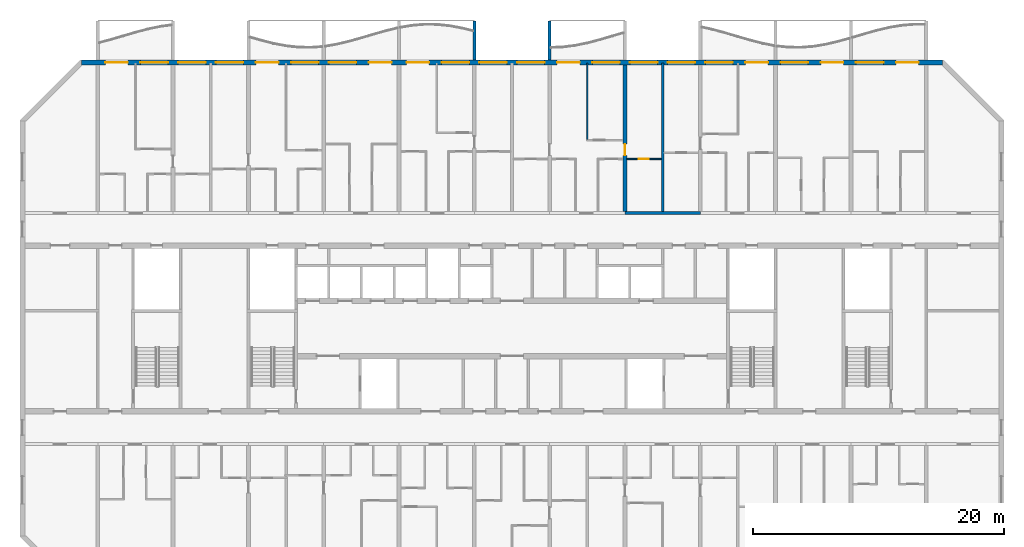
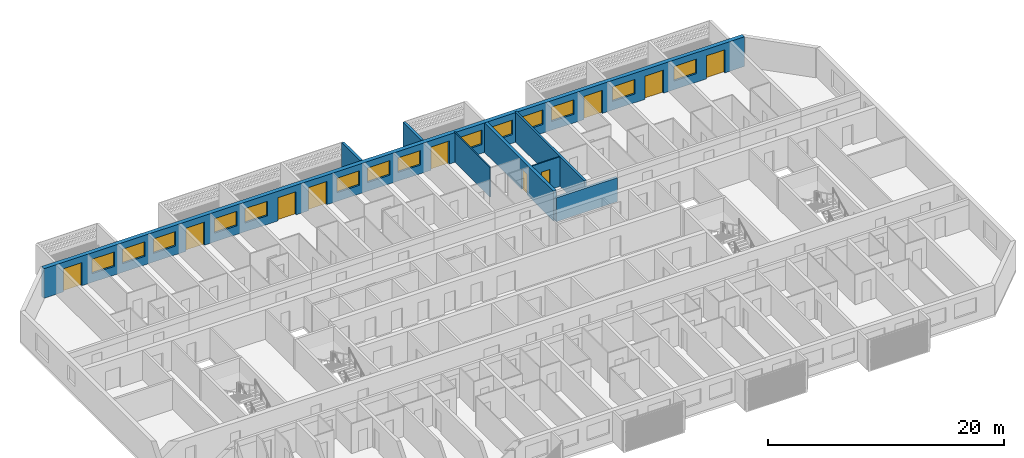
# One storey, part 11 of 33: 14 windows, 10 doors, 8 walls, 24 openings.
"""IFC4 building model written with IfcOpenShell, lengths in metres."""

from ifc_helpers import new_model, si_unit, direction, frame, frame_2d, origin, place, context, subcontext, project, spatial, polyline, rectangle, outline, extrude, source, transform, mapped, material, layer, layer_set, type_object, element, fill, save


model = new_model("IFC4")

# Units and contexts
model_context = context("Model", 3, precision=1e-05, world=origin(), true_north=direction((0.0, 1.0)))
body_context = subcontext(model_context, "Body", "Model", "MODEL_VIEW")
ifc_project = project(units=[si_unit("LENGTHUNIT", "METRE"), si_unit("AREAUNIT", "SQUARE_METRE"), si_unit("VOLUMEUNIT", "CUBIC_METRE"), si_unit("PLANEANGLEUNIT", "RADIAN"), si_unit("MASSUNIT", "GRAM", prefix="KILO")], contexts=[model_context])

# Site, building, storey
site_placement = place(None, origin())
site = spatial("IfcSite", under=ifc_project, at=site_placement, CompositionType="ELEMENT")
building_placement = place(site_placement, origin())
building = spatial("IfcBuilding", under=site, at=building_placement, Name="Poui Terraces", CompositionType="ELEMENT")
storey_placement = place(building_placement, frame((0.0, 0.0, 138.89990234375)))
storey = spatial("IfcBuildingStorey", under=building, at=storey_placement, Name="L38", CompositionType="ELEMENT", Elevation=138.89990234375)

# Wall
ifc_material_1 = material(Name="Concrete 65 MPa", Category="concrete")
ifc_layer_1 = layer(ifc_material_1, 0.25)
ifc_layer_set_1 = layer_set([ifc_layer_1], Name="Concrete 65 MPa")
wall_type_1 = type_object("IfcWallType", Name="CORRIDOR WALL 250 65MPa", PredefinedType="SHEAR", material=ifc_layer_set_1)
wall_1_placement = place(storey_placement, frame((60.0, 30.39990234375, 0.0), z_axis=(0.0, 0.0, 1.0), x_axis=(1.0, 0.0, 0.0)))
element("IfcWall", 1, at=wall_1_placement, inside=storey, type_object=wall_type_1, Name="CORRIDOR WALL LINE E BAY 9", PredefinedType="SHEAR", context=body_context, shape_type="SweptSolid", body=[
    extrude(rectangle(XDim=6.0, YDim=0.25, at=frame_2d((3.0, 0.0))), origin(), (0.0, 0.0, 1.0), 2.47021484375),
])

# Wall, opening, door
ifc_layer_2 = layer(ifc_material_1, 0.300048828125)
ifc_layer_set_2 = layer_set([ifc_layer_2], Name="Concrete 65 MPa")
wall_type_2 = type_object("IfcWallType", Name="CROSS WALL 300 65MPa", PredefinedType="SHEAR", material=ifc_layer_set_2)
wall_2_placement = place(storey_placement, frame((60.0, 30.52490234375, 0.0), z_axis=(0.0, 0.0, 1.0), x_axis=(0.0, 1.0, 0.0)))
wall_2 = element("IfcWall", 2, at=wall_2_placement, inside=storey, type_object=wall_type_2, Name="CROSS WALL LINE 11 NORTH", PredefinedType="SHEAR", context=body_context, shape_type="SweptSolid", body=[
    extrude(rectangle(XDim=11.675048828125, YDim=0.300048828125, at=frame_2d((5.83740234375, 0.0))), origin(), (0.0, 0.0, 1.0), 3.070068359375),
])
opening_1_placement = place(wall_2_placement, frame((4.47509765625, 0.0, 0.0)))
opening_1 = element("IfcOpeningElement", 3, at=opening_1_placement, cuts=wall_2, Name="Opening D90", PredefinedType="OPENING", context=body_context, shape_type="SweptSolid", body=[
    extrude(rectangle(XDim=0.89990234375, YDim=2.10009765625, at=frame_2d((0.449951171875, 1.050048828125))), frame((0.0, 0.16015625, 0.0), z_axis=(0.0, -1.0, 0.0), x_axis=(1.0, 0.0, 0.0)), (0.0, 0.0, 1.0), 0.320068359375),
])
ifc_material_2 = material(Name="Solid core timber door", Category="wood")
door_type_1 = type_object("IfcDoorType", Name="INTERNAL DOOR 900 X 2100", OperationType="NOTDEFINED", PredefinedType="DOOR", material=ifc_material_2)
door_1_placement = place(opening_1_placement, frame((0.89990234375, 0.0, 0.0), z_axis=(0.0, 0.0, 1.0), x_axis=(-1.0, 0.0, 0.0)))
door_1 = element("IfcDoor", 4, at=door_1_placement, inside=storey, type_object=door_type_1, Name="INTERNAL DOOR 060", OperationType="SINGLE_SWING_RIGHT", OverallHeight=2.10009765625, OverallWidth=0.89990234375, PredefinedType="DOOR", context=body_context, shape_type="SweptSolid", body=[
    extrude(rectangle(XDim=0.89990234375, YDim=2.10009765625, at=frame_2d((0.449951171875, 1.050048828125))), frame((0.0, 0.02490234375, 0.0), z_axis=(0.0, -1.0, 0.0), x_axis=(1.0, 0.0, 0.0)), (0.0, 0.0, 1.0), 0.050048828125),
])
fill(opening_1, door_1)

# Wall, openings, doors, windows
ifc_material_3 = material(Name="Precast concrete 40 MPa", Category="concrete")
ifc_layer_3 = layer(ifc_material_3, 0.39990234375)
ifc_layer_set_3 = layer_set([ifc_layer_3], Name="Precast concrete 40 MPa")
wall_type_3 = type_object("IfcWallType", Name="EXTERNAL WALL 400", PredefinedType="STANDARD", material=ifc_layer_set_3)
wall_3_placement = place(storey_placement, frame((85.317138671875, 42.39990234375, 0.0), z_axis=(0.0, 0.0, 1.0), x_axis=(-1.0, 0.0, 0.0)))
wall_3 = element("IfcWall", 5, at=wall_3_placement, inside=storey, type_object=wall_type_3, Name="EXTERNAL WALL N", PredefinedType="STANDARD", context=body_context, shape_type="SweptSolid", body=[
    extrude(rectangle(XDim=68.63427734375, YDim=0.39990234375, at=frame_2d((34.317138671875, 0.0))), origin(), (0.0, 0.0, 1.0), 3.070068359375),
])
opening_2_placement = place(wall_3_placement, frame((64.917236328125, 0.0, 0.0)))
opening_2 = element("IfcOpeningElement", 6, at=opening_2_placement, cuts=wall_3, Name="Opening BD1", PredefinedType="OPENING", context=body_context, shape_type="SweptSolid", body=[
    extrude(rectangle(XDim=1.800048828125, YDim=2.39990234375, at=frame_2d((0.89990234375, 1.199951171875))), frame((0.0, 0.2099609375, 0.0), z_axis=(0.0, -1.0, 0.0), x_axis=(1.0, 0.0, 0.0)), (0.0, 0.0, 1.0), 0.419921875),
])
opening_3_placement = place(wall_3_placement, frame((61.71728515625, 0.0, 0.89990234375)))
opening_3 = element("IfcOpeningElement", 7, at=opening_3_placement, cuts=wall_3, Name="Opening W1", PredefinedType="OPENING", context=body_context, shape_type="SweptSolid", body=[
    extrude(rectangle(XDim=2.199951171875, YDim=1.5, at=frame_2d((1.10009765625, 0.75))), frame((0.0, 0.2099609375, 0.0), z_axis=(0.0, -1.0, 0.0), x_axis=(1.0, 0.0, 0.0)), (0.0, 0.0, 1.0), 0.419921875),
])
opening_4_placement = place(wall_3_placement, frame((58.71728515625, 0.0, 0.89990234375)))
opening_4 = element("IfcOpeningElement", 8, at=opening_4_placement, cuts=wall_3, Name="Opening W1", PredefinedType="OPENING", context=body_context, shape_type="SweptSolid", body=[
    extrude(rectangle(XDim=2.199951171875, YDim=1.5, at=frame_2d((1.10009765625, 0.75))), frame((0.0, 0.2099609375, 0.0), z_axis=(0.0, -1.0, 0.0), x_axis=(1.0, 0.0, 0.0)), (0.0, 0.0, 1.0), 0.419921875),
])
opening_5_placement = place(wall_3_placement, frame((55.71728515625, 0.0, 0.89990234375)))
opening_5 = element("IfcOpeningElement", 9, at=opening_5_placement, cuts=wall_3, Name="Opening W1", PredefinedType="OPENING", context=body_context, shape_type="SweptSolid", body=[
    extrude(rectangle(XDim=2.199951171875, YDim=1.5, at=frame_2d((1.10009765625, 0.75))), frame((0.0, 0.2099609375, 0.0), z_axis=(0.0, -1.0, 0.0), x_axis=(1.0, 0.0, 0.0)), (0.0, 0.0, 1.0), 0.419921875),
])
opening_6_placement = place(wall_3_placement, frame((52.917236328125, 0.0, 0.0)))
opening_6 = element("IfcOpeningElement", 10, at=opening_6_placement, cuts=wall_3, Name="Opening BD1", PredefinedType="OPENING", context=body_context, shape_type="SweptSolid", body=[
    extrude(rectangle(XDim=1.800048828125, YDim=2.39990234375, at=frame_2d((0.89990234375, 1.199951171875))), frame((0.0, 0.2099609375, 0.0), z_axis=(0.0, -1.0, 0.0), x_axis=(1.0, 0.0, 0.0)), (0.0, 0.0, 1.0), 0.419921875),
])
opening_7_placement = place(wall_3_placement, frame((49.71728515625, 0.0, 0.89990234375)))
opening_7 = element("IfcOpeningElement", 11, at=opening_7_placement, cuts=wall_3, Name="Opening W1", PredefinedType="OPENING", context=body_context, shape_type="SweptSolid", body=[
    extrude(rectangle(XDim=2.199951171875, YDim=1.5, at=frame_2d((1.10009765625, 0.75))), frame((0.0, 0.2099609375, 0.0), z_axis=(0.0, -1.0, 0.0), x_axis=(1.0, 0.0, 0.0)), (0.0, 0.0, 1.0), 0.419921875),
])
opening_8_placement = place(wall_3_placement, frame((46.71728515625, 0.0, 0.89990234375)))
opening_8 = element("IfcOpeningElement", 12, at=opening_8_placement, cuts=wall_3, Name="Opening W1", PredefinedType="OPENING", context=body_context, shape_type="SweptSolid", body=[
    extrude(rectangle(XDim=2.199951171875, YDim=1.5, at=frame_2d((1.10009765625, 0.75))), frame((0.0, 0.2099609375, 0.0), z_axis=(0.0, -1.0, 0.0), x_axis=(1.0, 0.0, 0.0)), (0.0, 0.0, 1.0), 0.419921875),
])
opening_9_placement = place(wall_3_placement, frame((43.917236328125, 0.0, 0.0)))
opening_9 = element("IfcOpeningElement", 13, at=opening_9_placement, cuts=wall_3, Name="Opening BD1", PredefinedType="OPENING", context=body_context, shape_type="SweptSolid", body=[
    extrude(rectangle(XDim=1.800048828125, YDim=2.39990234375, at=frame_2d((0.89990234375, 1.199951171875))), frame((0.0, 0.2099609375, 0.0), z_axis=(0.0, -1.0, 0.0), x_axis=(1.0, 0.0, 0.0)), (0.0, 0.0, 1.0), 0.419921875),
])
opening_10_placement = place(wall_3_placement, frame((40.917236328125, 0.0, 0.0)))
opening_10 = element("IfcOpeningElement", 14, at=opening_10_placement, cuts=wall_3, Name="Opening BD1", PredefinedType="OPENING", context=body_context, shape_type="SweptSolid", body=[
    extrude(rectangle(XDim=1.800048828125, YDim=2.39990234375, at=frame_2d((0.89990234375, 1.199951171875))), frame((0.0, 0.2099609375, 0.0), z_axis=(0.0, -1.0, 0.0), x_axis=(1.0, 0.0, 0.0)), (0.0, 0.0, 1.0), 0.419921875),
])
opening_11_placement = place(wall_3_placement, frame((37.71728515625, 0.0, 0.89990234375)))
opening_11 = element("IfcOpeningElement", 15, at=opening_11_placement, cuts=wall_3, Name="Opening W1", PredefinedType="OPENING", context=body_context, shape_type="SweptSolid", body=[
    extrude(rectangle(XDim=2.199951171875, YDim=1.5, at=frame_2d((1.10009765625, 0.75))), frame((0.0, 0.2099609375, 0.0), z_axis=(0.0, -1.0, 0.0), x_axis=(1.0, 0.0, 0.0)), (0.0, 0.0, 1.0), 0.419921875),
])
opening_12_placement = place(wall_3_placement, frame((34.71728515625, 0.0, 0.89990234375)))
opening_12 = element("IfcOpeningElement", 16, at=opening_12_placement, cuts=wall_3, Name="Opening W1", PredefinedType="OPENING", context=body_context, shape_type="SweptSolid", body=[
    extrude(rectangle(XDim=2.199951171875, YDim=1.5, at=frame_2d((1.10009765625, 0.75))), frame((0.0, 0.2099609375, 0.0), z_axis=(0.0, -1.0, 0.0), x_axis=(1.0, 0.0, 0.0)), (0.0, 0.0, 1.0), 0.419921875),
])
opening_13_placement = place(wall_3_placement, frame((31.71728515625, 0.0, 0.89990234375)))
opening_13 = element("IfcOpeningElement", 17, at=opening_13_placement, cuts=wall_3, Name="Opening W1", PredefinedType="OPENING", context=body_context, shape_type="SweptSolid", body=[
    extrude(rectangle(XDim=2.199951171875, YDim=1.5, at=frame_2d((1.10009765625, 0.75))), frame((0.0, 0.2099609375, 0.0), z_axis=(0.0, -1.0, 0.0), x_axis=(1.0, 0.0, 0.0)), (0.0, 0.0, 1.0), 0.419921875),
])
opening_14_placement = place(wall_3_placement, frame((28.917236328125, 0.0, 0.0)))
opening_14 = element("IfcOpeningElement", 18, at=opening_14_placement, cuts=wall_3, Name="Opening BD1", PredefinedType="OPENING", context=body_context, shape_type="SweptSolid", body=[
    extrude(rectangle(XDim=1.800048828125, YDim=2.39990234375, at=frame_2d((0.89990234375, 1.199951171875))), frame((0.0, 0.2099609375, 0.0), z_axis=(0.0, -1.0, 0.0), x_axis=(1.0, 0.0, 0.0)), (0.0, 0.0, 1.0), 0.419921875),
])
opening_15_placement = place(wall_3_placement, frame((25.71728515625, 0.0, 0.89990234375)))
opening_15 = element("IfcOpeningElement", 19, at=opening_15_placement, cuts=wall_3, Name="Opening W1", PredefinedType="OPENING", context=body_context, shape_type="SweptSolid", body=[
    extrude(rectangle(XDim=2.199951171875, YDim=1.5, at=frame_2d((1.10009765625, 0.75))), frame((0.0, 0.2099609375, 0.0), z_axis=(0.0, -1.0, 0.0), x_axis=(1.0, 0.0, 0.0)), (0.0, 0.0, 1.0), 0.419921875),
])
opening_16_placement = place(wall_3_placement, frame((22.71728515625, 0.0, 0.89990234375)))
opening_16 = element("IfcOpeningElement", 20, at=opening_16_placement, cuts=wall_3, Name="Opening W1", PredefinedType="OPENING", context=body_context, shape_type="SweptSolid", body=[
    extrude(rectangle(XDim=2.199951171875, YDim=1.5, at=frame_2d((1.10009765625, 0.75))), frame((0.0, 0.2099609375, 0.0), z_axis=(0.0, -1.0, 0.0), x_axis=(1.0, 0.0, 0.0)), (0.0, 0.0, 1.0), 0.419921875),
])
opening_17_placement = place(wall_3_placement, frame((19.71728515625, 0.0, 0.89990234375)))
opening_17 = element("IfcOpeningElement", 21, at=opening_17_placement, cuts=wall_3, Name="Opening W1", PredefinedType="OPENING", context=body_context, shape_type="SweptSolid", body=[
    extrude(rectangle(XDim=2.199951171875, YDim=1.5, at=frame_2d((1.10009765625, 0.75))), frame((0.0, 0.2099609375, 0.0), z_axis=(0.0, -1.0, 0.0), x_axis=(1.0, 0.0, 0.0)), (0.0, 0.0, 1.0), 0.419921875),
])
opening_18_placement = place(wall_3_placement, frame((16.71728515625, 0.0, 0.89990234375)))
opening_18 = element("IfcOpeningElement", 22, at=opening_18_placement, cuts=wall_3, Name="Opening W1", PredefinedType="OPENING", context=body_context, shape_type="SweptSolid", body=[
    extrude(rectangle(XDim=2.199951171875, YDim=1.5, at=frame_2d((1.10009765625, 0.75))), frame((0.0, 0.2099609375, 0.0), z_axis=(0.0, -1.0, 0.0), x_axis=(1.0, 0.0, 0.0)), (0.0, 0.0, 1.0), 0.419921875),
])
opening_19_placement = place(wall_3_placement, frame((13.917236328125, 0.0, 0.0)))
opening_19 = element("IfcOpeningElement", 23, at=opening_19_placement, cuts=wall_3, Name="Opening BD1", PredefinedType="OPENING", context=body_context, shape_type="SweptSolid", body=[
    extrude(rectangle(XDim=1.800048828125, YDim=2.39990234375, at=frame_2d((0.89990234375, 1.199951171875))), frame((0.0, 0.2099609375, 0.0), z_axis=(0.0, -1.0, 0.0), x_axis=(1.0, 0.0, 0.0)), (0.0, 0.0, 1.0), 0.419921875),
])
opening_20_placement = place(wall_3_placement, frame((10.71728515625, 0.0, 0.89990234375)))
opening_20 = element("IfcOpeningElement", 24, at=opening_20_placement, cuts=wall_3, Name="Opening W1", PredefinedType="OPENING", context=body_context, shape_type="SweptSolid", body=[
    extrude(rectangle(XDim=2.199951171875, YDim=1.5, at=frame_2d((1.10009765625, 0.75))), frame((0.0, 0.2099609375, 0.0), z_axis=(0.0, -1.0, 0.0), x_axis=(1.0, 0.0, 0.0)), (0.0, 0.0, 1.0), 0.419921875),
])
opening_21_placement = place(wall_3_placement, frame((7.917236328125, 0.0, 0.0)))
opening_21 = element("IfcOpeningElement", 25, at=opening_21_placement, cuts=wall_3, Name="Opening BD1", PredefinedType="OPENING", context=body_context, shape_type="SweptSolid", body=[
    extrude(rectangle(XDim=1.800048828125, YDim=2.39990234375, at=frame_2d((0.89990234375, 1.199951171875))), frame((0.0, 0.2099609375, 0.0), z_axis=(0.0, -1.0, 0.0), x_axis=(1.0, 0.0, 0.0)), (0.0, 0.0, 1.0), 0.419921875),
])
opening_22_placement = place(wall_3_placement, frame((4.71728515625, 0.0, 0.89990234375)))
opening_22 = element("IfcOpeningElement", 26, at=opening_22_placement, cuts=wall_3, Name="Opening W1", PredefinedType="OPENING", context=body_context, shape_type="SweptSolid", body=[
    extrude(rectangle(XDim=2.199951171875, YDim=1.5, at=frame_2d((1.10009765625, 0.75))), frame((0.0, 0.2099609375, 0.0), z_axis=(0.0, -1.0, 0.0), x_axis=(1.0, 0.0, 0.0)), (0.0, 0.0, 1.0), 0.419921875),
])
opening_23_placement = place(wall_3_placement, frame((1.917236328125, 0.0, 0.0)))
opening_23 = element("IfcOpeningElement", 27, at=opening_23_placement, cuts=wall_3, Name="Opening BD1", PredefinedType="OPENING", context=body_context, shape_type="SweptSolid", body=[
    extrude(rectangle(XDim=1.800048828125, YDim=2.39990234375, at=frame_2d((0.89990234375, 1.199951171875))), frame((0.0, 0.2099609375, 0.0), z_axis=(0.0, -1.0, 0.0), x_axis=(1.0, 0.0, 0.0)), (0.0, 0.0, 1.0), 0.419921875),
])
ifc_material_4 = material(Name="Clear glass in aluminium frame", Category="aluminium")
door_type_2 = type_object("IfcDoorType", Name="BALCONY DOOR 1800X2400", OperationType="DOUBLE_DOOR_SLIDING", PredefinedType="DOOR", material=ifc_material_4)
door_2_placement = place(opening_2_placement, origin())
door_2 = element("IfcDoor", 28, at=door_2_placement, inside=storey, type_object=door_type_2, Name="BD1 BALCONY DOOR", OperationType="DOUBLE_DOOR_SLIDING", OverallHeight=2.39990234375, OverallWidth=1.800048828125, PredefinedType="DOOR", context=body_context, shape_type="SweptSolid", body=[
    extrude(rectangle(XDim=1.800048828125, YDim=2.39990234375, at=frame_2d((0.89990234375, 1.199951171875))), frame((0.0, 0.02490234375, 0.0), z_axis=(0.0, -1.0, 0.0), x_axis=(1.0, 0.0, 0.0)), (0.0, 0.0, 1.0), 0.050048828125),
])
fill(opening_2, door_2)
door_3_placement = place(opening_6_placement, origin())
door_3 = element("IfcDoor", 29, at=door_3_placement, inside=storey, type_object=door_type_2, Name="BD1 BALCONY DOOR", OperationType="DOUBLE_DOOR_SLIDING", OverallHeight=2.39990234375, OverallWidth=1.800048828125, PredefinedType="DOOR", context=body_context, shape_type="SweptSolid", body=[
    extrude(rectangle(XDim=1.800048828125, YDim=2.39990234375, at=frame_2d((0.89990234375, 1.199951171875))), frame((0.0, 0.02490234375, 0.0), z_axis=(0.0, -1.0, 0.0), x_axis=(1.0, 0.0, 0.0)), (0.0, 0.0, 1.0), 0.050048828125),
])
fill(opening_6, door_3)
door_4_placement = place(opening_9_placement, origin())
door_4 = element("IfcDoor", 30, at=door_4_placement, inside=storey, type_object=door_type_2, Name="BD1 BALCONY DOOR", OperationType="DOUBLE_DOOR_SLIDING", OverallHeight=2.39990234375, OverallWidth=1.800048828125, PredefinedType="DOOR", context=body_context, shape_type="SweptSolid", body=[
    extrude(rectangle(XDim=1.800048828125, YDim=2.39990234375, at=frame_2d((0.89990234375, 1.199951171875))), frame((0.0, 0.02490234375, 0.0), z_axis=(0.0, -1.0, 0.0), x_axis=(1.0, 0.0, 0.0)), (0.0, 0.0, 1.0), 0.050048828125),
])
fill(opening_9, door_4)
door_5_placement = place(opening_10_placement, origin())
door_5 = element("IfcDoor", 31, at=door_5_placement, inside=storey, type_object=door_type_2, Name="BD1 BALCONY DOOR", OperationType="DOUBLE_DOOR_SLIDING", OverallHeight=2.39990234375, OverallWidth=1.800048828125, PredefinedType="DOOR", context=body_context, shape_type="SweptSolid", body=[
    extrude(rectangle(XDim=1.800048828125, YDim=2.39990234375, at=frame_2d((0.89990234375, 1.199951171875))), frame((0.0, 0.02490234375, 0.0), z_axis=(0.0, -1.0, 0.0), x_axis=(1.0, 0.0, 0.0)), (0.0, 0.0, 1.0), 0.050048828125),
])
fill(opening_10, door_5)
door_6_placement = place(opening_14_placement, origin())
door_6 = element("IfcDoor", 32, at=door_6_placement, inside=storey, type_object=door_type_2, Name="BD1 BALCONY DOOR", OperationType="DOUBLE_DOOR_SLIDING", OverallHeight=2.39990234375, OverallWidth=1.800048828125, PredefinedType="DOOR", context=body_context, shape_type="SweptSolid", body=[
    extrude(rectangle(XDim=1.800048828125, YDim=2.39990234375, at=frame_2d((0.89990234375, 1.199951171875))), frame((0.0, 0.02490234375, 0.0), z_axis=(0.0, -1.0, 0.0), x_axis=(1.0, 0.0, 0.0)), (0.0, 0.0, 1.0), 0.050048828125),
])
fill(opening_14, door_6)
door_7_placement = place(opening_19_placement, origin())
door_7 = element("IfcDoor", 33, at=door_7_placement, inside=storey, type_object=door_type_2, Name="BD1 BALCONY DOOR", OperationType="DOUBLE_DOOR_SLIDING", OverallHeight=2.39990234375, OverallWidth=1.800048828125, PredefinedType="DOOR", context=body_context, shape_type="SweptSolid", body=[
    extrude(rectangle(XDim=1.800048828125, YDim=2.39990234375, at=frame_2d((0.89990234375, 1.199951171875))), frame((0.0, 0.02490234375, 0.0), z_axis=(0.0, -1.0, 0.0), x_axis=(1.0, 0.0, 0.0)), (0.0, 0.0, 1.0), 0.050048828125),
])
fill(opening_19, door_7)
door_8_placement = place(opening_21_placement, origin())
door_8 = element("IfcDoor", 34, at=door_8_placement, inside=storey, type_object=door_type_2, Name="BD1 BALCONY DOOR", OperationType="DOUBLE_DOOR_SLIDING", OverallHeight=2.39990234375, OverallWidth=1.800048828125, PredefinedType="DOOR", context=body_context, shape_type="SweptSolid", body=[
    extrude(rectangle(XDim=1.800048828125, YDim=2.39990234375, at=frame_2d((0.89990234375, 1.199951171875))), frame((0.0, 0.02490234375, 0.0), z_axis=(0.0, -1.0, 0.0), x_axis=(1.0, 0.0, 0.0)), (0.0, 0.0, 1.0), 0.050048828125),
])
fill(opening_21, door_8)
door_9_placement = place(opening_23_placement, origin())
door_9 = element("IfcDoor", 35, at=door_9_placement, inside=storey, type_object=door_type_2, Name="BD1 BALCONY DOOR", OperationType="DOUBLE_DOOR_SLIDING", OverallHeight=2.39990234375, OverallWidth=1.800048828125, PredefinedType="DOOR", context=body_context, shape_type="SweptSolid", body=[
    extrude(rectangle(XDim=1.800048828125, YDim=2.39990234375, at=frame_2d((0.89990234375, 1.199951171875))), frame((0.0, 0.02490234375, 0.0), z_axis=(0.0, -1.0, 0.0), x_axis=(1.0, 0.0, 0.0)), (0.0, 0.0, 1.0), 0.050048828125),
])
fill(opening_23, door_9)
window_type = type_object("IfcWindowType", Name="WINDOW 2200X1500", PartitioningType="DOUBLE_PANEL_HORIZONTAL", PredefinedType="WINDOW", material=ifc_material_4)
window_1_placement = place(opening_3_placement, origin())
window_1 = element("IfcWindow", 36, at=window_1_placement, inside=storey, type_object=window_type, Name="W1 WINDOW", OverallHeight=1.5, OverallWidth=2.199951171875, PartitioningType="DOUBLE_PANEL_HORIZONTAL", PredefinedType="WINDOW", context=body_context, shape_type="SweptSolid", body=[
    extrude(rectangle(XDim=2.199951171875, YDim=1.5, at=frame_2d((1.10009765625, 0.75))), frame((0.0, 0.030029296875, 0.0), z_axis=(0.0, -1.0, 0.0), x_axis=(1.0, 0.0, 0.0)), (0.0, 0.0, 1.0), 0.06005859375),
])
fill(opening_3, window_1)
window_2_placement = place(opening_4_placement, origin())
window_2 = element("IfcWindow", 37, at=window_2_placement, inside=storey, type_object=window_type, Name="W1 WINDOW", OverallHeight=1.5, OverallWidth=2.199951171875, PartitioningType="DOUBLE_PANEL_HORIZONTAL", PredefinedType="WINDOW", context=body_context, shape_type="SweptSolid", body=[
    extrude(rectangle(XDim=2.199951171875, YDim=1.5, at=frame_2d((1.10009765625, 0.75))), frame((0.0, 0.030029296875, 0.0), z_axis=(0.0, -1.0, 0.0), x_axis=(1.0, 0.0, 0.0)), (0.0, 0.0, 1.0), 0.06005859375),
])
fill(opening_4, window_2)
window_3_placement = place(opening_5_placement, origin())
window_3 = element("IfcWindow", 38, at=window_3_placement, inside=storey, type_object=window_type, Name="W1 WINDOW", OverallHeight=1.5, OverallWidth=2.199951171875, PartitioningType="DOUBLE_PANEL_HORIZONTAL", PredefinedType="WINDOW", context=body_context, shape_type="SweptSolid", body=[
    extrude(rectangle(XDim=2.199951171875, YDim=1.5, at=frame_2d((1.10009765625, 0.75))), frame((0.0, 0.030029296875, 0.0), z_axis=(0.0, -1.0, 0.0), x_axis=(1.0, 0.0, 0.0)), (0.0, 0.0, 1.0), 0.06005859375),
])
fill(opening_5, window_3)
window_4_placement = place(opening_7_placement, origin())
window_4 = element("IfcWindow", 39, at=window_4_placement, inside=storey, type_object=window_type, Name="W1 WINDOW", OverallHeight=1.5, OverallWidth=2.199951171875, PartitioningType="DOUBLE_PANEL_HORIZONTAL", PredefinedType="WINDOW", context=body_context, shape_type="SweptSolid", body=[
    extrude(rectangle(XDim=2.199951171875, YDim=1.5, at=frame_2d((1.10009765625, 0.75))), frame((0.0, 0.030029296875, 0.0), z_axis=(0.0, -1.0, 0.0), x_axis=(1.0, 0.0, 0.0)), (0.0, 0.0, 1.0), 0.06005859375),
])
fill(opening_7, window_4)
window_5_placement = place(opening_8_placement, origin())
window_5 = element("IfcWindow", 40, at=window_5_placement, inside=storey, type_object=window_type, Name="W1 WINDOW", OverallHeight=1.5, OverallWidth=2.199951171875, PartitioningType="DOUBLE_PANEL_HORIZONTAL", PredefinedType="WINDOW", context=body_context, shape_type="SweptSolid", body=[
    extrude(rectangle(XDim=2.199951171875, YDim=1.5, at=frame_2d((1.10009765625, 0.75))), frame((0.0, 0.030029296875, 0.0), z_axis=(0.0, -1.0, 0.0), x_axis=(1.0, 0.0, 0.0)), (0.0, 0.0, 1.0), 0.06005859375),
])
fill(opening_8, window_5)
window_6_placement = place(opening_11_placement, origin())
window_6 = element("IfcWindow", 41, at=window_6_placement, inside=storey, type_object=window_type, Name="W1 WINDOW", OverallHeight=1.5, OverallWidth=2.199951171875, PartitioningType="DOUBLE_PANEL_HORIZONTAL", PredefinedType="WINDOW", context=body_context, shape_type="SweptSolid", body=[
    extrude(rectangle(XDim=2.199951171875, YDim=1.5, at=frame_2d((1.10009765625, 0.75))), frame((0.0, 0.030029296875, 0.0), z_axis=(0.0, -1.0, 0.0), x_axis=(1.0, 0.0, 0.0)), (0.0, 0.0, 1.0), 0.06005859375),
])
fill(opening_11, window_6)
window_7_placement = place(opening_12_placement, origin())
window_7 = element("IfcWindow", 42, at=window_7_placement, inside=storey, type_object=window_type, Name="W1 WINDOW", OverallHeight=1.5, OverallWidth=2.199951171875, PartitioningType="DOUBLE_PANEL_HORIZONTAL", PredefinedType="WINDOW", context=body_context, shape_type="SweptSolid", body=[
    extrude(rectangle(XDim=2.199951171875, YDim=1.5, at=frame_2d((1.10009765625, 0.75))), frame((0.0, 0.030029296875, 0.0), z_axis=(0.0, -1.0, 0.0), x_axis=(1.0, 0.0, 0.0)), (0.0, 0.0, 1.0), 0.06005859375),
])
fill(opening_12, window_7)
window_8_placement = place(opening_13_placement, origin())
window_8 = element("IfcWindow", 43, at=window_8_placement, inside=storey, type_object=window_type, Name="W1 WINDOW", OverallHeight=1.5, OverallWidth=2.199951171875, PartitioningType="DOUBLE_PANEL_HORIZONTAL", PredefinedType="WINDOW", context=body_context, shape_type="SweptSolid", body=[
    extrude(rectangle(XDim=2.199951171875, YDim=1.5, at=frame_2d((1.10009765625, 0.75))), frame((0.0, 0.030029296875, 0.0), z_axis=(0.0, -1.0, 0.0), x_axis=(1.0, 0.0, 0.0)), (0.0, 0.0, 1.0), 0.06005859375),
])
fill(opening_13, window_8)
window_9_placement = place(opening_15_placement, origin())
window_9 = element("IfcWindow", 44, at=window_9_placement, inside=storey, type_object=window_type, Name="W1 WINDOW", OverallHeight=1.5, OverallWidth=2.199951171875, PartitioningType="DOUBLE_PANEL_HORIZONTAL", PredefinedType="WINDOW", context=body_context, shape_type="SweptSolid", body=[
    extrude(rectangle(XDim=2.199951171875, YDim=1.5, at=frame_2d((1.10009765625, 0.75))), frame((0.0, 0.030029296875, 0.0), z_axis=(0.0, -1.0, 0.0), x_axis=(1.0, 0.0, 0.0)), (0.0, 0.0, 1.0), 0.06005859375),
])
fill(opening_15, window_9)
window_10_placement = place(opening_16_placement, origin())
window_10 = element("IfcWindow", 45, at=window_10_placement, inside=storey, type_object=window_type, Name="W1 WINDOW", OverallHeight=1.5, OverallWidth=2.199951171875, PartitioningType="DOUBLE_PANEL_HORIZONTAL", PredefinedType="WINDOW", context=body_context, shape_type="SweptSolid", body=[
    extrude(rectangle(XDim=2.199951171875, YDim=1.5, at=frame_2d((1.10009765625, 0.75))), frame((0.0, 0.030029296875, 0.0), z_axis=(0.0, -1.0, 0.0), x_axis=(1.0, 0.0, 0.0)), (0.0, 0.0, 1.0), 0.06005859375),
])
fill(opening_16, window_10)
window_11_placement = place(opening_17_placement, origin())
window_11 = element("IfcWindow", 46, at=window_11_placement, inside=storey, type_object=window_type, Name="W1 WINDOW", OverallHeight=1.5, OverallWidth=2.199951171875, PartitioningType="DOUBLE_PANEL_HORIZONTAL", PredefinedType="WINDOW", context=body_context, shape_type="SweptSolid", body=[
    extrude(rectangle(XDim=2.199951171875, YDim=1.5, at=frame_2d((1.10009765625, 0.75))), frame((0.0, 0.030029296875, 0.0), z_axis=(0.0, -1.0, 0.0), x_axis=(1.0, 0.0, 0.0)), (0.0, 0.0, 1.0), 0.06005859375),
])
fill(opening_17, window_11)
window_12_placement = place(opening_18_placement, origin())
window_12 = element("IfcWindow", 47, at=window_12_placement, inside=storey, type_object=window_type, Name="W1 WINDOW", OverallHeight=1.5, OverallWidth=2.199951171875, PartitioningType="DOUBLE_PANEL_HORIZONTAL", PredefinedType="WINDOW", context=body_context, shape_type="SweptSolid", body=[
    extrude(rectangle(XDim=2.199951171875, YDim=1.5, at=frame_2d((1.10009765625, 0.75))), frame((0.0, 0.030029296875, 0.0), z_axis=(0.0, -1.0, 0.0), x_axis=(1.0, 0.0, 0.0)), (0.0, 0.0, 1.0), 0.06005859375),
])
fill(opening_18, window_12)
window_13_placement = place(opening_20_placement, origin())
window_13 = element("IfcWindow", 48, at=window_13_placement, inside=storey, type_object=window_type, Name="W1 WINDOW", OverallHeight=1.5, OverallWidth=2.199951171875, PartitioningType="DOUBLE_PANEL_HORIZONTAL", PredefinedType="WINDOW", context=body_context, shape_type="SweptSolid", body=[
    extrude(rectangle(XDim=2.199951171875, YDim=1.5, at=frame_2d((1.10009765625, 0.75))), frame((0.0, 0.030029296875, 0.0), z_axis=(0.0, -1.0, 0.0), x_axis=(1.0, 0.0, 0.0)), (0.0, 0.0, 1.0), 0.06005859375),
])
fill(opening_20, window_13)
window_14_placement = place(opening_22_placement, origin())
window_14 = element("IfcWindow", 49, at=window_14_placement, inside=storey, type_object=window_type, Name="W1 WINDOW", OverallHeight=1.5, OverallWidth=2.199951171875, PartitioningType="DOUBLE_PANEL_HORIZONTAL", PredefinedType="WINDOW", context=body_context, shape_type="SweptSolid", body=[
    extrude(rectangle(XDim=2.199951171875, YDim=1.5, at=frame_2d((1.10009765625, 0.75))), frame((0.0, 0.030029296875, 0.0), z_axis=(0.0, -1.0, 0.0), x_axis=(1.0, 0.0, 0.0)), (0.0, 0.0, 1.0), 0.06005859375),
])
fill(opening_22, window_14)

# Wall, opening, door
ifc_material_5 = material(Name="Plasterboard partition")
ifc_layer_4 = layer(ifc_material_5, 0.10009765625)
ifc_layer_set_4 = layer_set([ifc_layer_4], Name="Plasterboard partition")
wall_type_4 = type_object("IfcWallType", Name="FLAT PARTITION 100", PredefinedType="PARTITIONING", material=ifc_layer_set_4)
wall_4_placement = place(storey_placement, frame((60.159912109375, 34.699951171875, 0.0), z_axis=(0.0, 0.0, 1.0), x_axis=(1.0, 0.0, 0.0)))
wall_4 = element("IfcWall", 50, at=wall_4_placement, inside=storey, type_object=wall_type_4, Name="FLAT PARTITION 100", PredefinedType="PARTITIONING", context=body_context, shape_type="SweptSolid", body=[
    extrude(rectangle(XDim=2.739990234375, YDim=0.10009765625, at=frame_2d((1.3701171875, 0.0))), origin(), (0.0, 0.0, 1.0), 3.070068359375),
])
opening_24_placement = place(wall_4_placement, frame((0.93994140625, 0.0, 0.0)))
opening_24 = element("IfcOpeningElement", 51, at=opening_24_placement, cuts=wall_4, Name="Opening D80", PredefinedType="OPENING", context=body_context, shape_type="SweptSolid", body=[
    extrude(rectangle(XDim=0.800048828125, YDim=2.10009765625, at=frame_2d((0.39990234375, 1.050048828125))), frame((0.0, 0.06005859375, 0.0), z_axis=(0.0, -1.0, 0.0), x_axis=(1.0, 0.0, 0.0)), (0.0, 0.0, 1.0), 0.1201171875),
])
door_type_3 = type_object("IfcDoorType", Name="BATHROOM, LAUNDRY AND STORE DOOR 800 X 2100", OperationType="NOTDEFINED", PredefinedType="DOOR", material=ifc_material_2)
door_10_placement = place(opening_24_placement, frame((0.800048828125, 0.0, 0.0), z_axis=(0.0, 0.0, 1.0), x_axis=(-1.0, 0.0, 0.0)))
door_10 = element("IfcDoor", 52, at=door_10_placement, inside=storey, type_object=door_type_3, Name="BATHROOM, LAUNDRY AND STORE DOOR 054", OperationType="SINGLE_SWING_LEFT", OverallHeight=2.10009765625, OverallWidth=0.800048828125, PredefinedType="DOOR", context=body_context, shape_type="SweptSolid", body=[
    extrude(rectangle(XDim=0.800048828125, YDim=2.10009765625, at=frame_2d((0.39990234375, 1.050048828125))), frame((0.0, 0.02490234375, 0.0), z_axis=(0.0, -1.0, 0.0), x_axis=(1.0, 0.0, 0.0)), (0.0, 0.0, 1.0), 0.050048828125),
])
fill(opening_24, door_10)

# Walls
wall_5_placement = place(storey_placement, frame((57.0, 36.25, 0.0), z_axis=(0.0, 0.0, 1.0), x_axis=(0.0, 1.0, 0.0)))
element("IfcWall", 53, at=wall_5_placement, inside=storey, type_object=wall_type_4, Name="FLAT PARTITION 100", PredefinedType="PARTITIONING", context=body_context, shape_type="SweptSolid", body=[
    extrude(rectangle(XDim=6.090087890625, YDim=0.10009765625, at=frame_2d((3.044921875, 0.0))), origin(), (0.0, 0.0, 1.0), 3.070068359375),
])
ifc_material_6 = material(Name="Fire-rated masonry wall", Category="masonry")
ifc_layer_5 = layer(ifc_material_6, 0.199951171875)
ifc_layer_set_5 = layer_set([ifc_layer_5], Name="Fire-rated masonry wall")
wall_type_5 = type_object("IfcWallType", Name="FLAT PARTY WALL 200", PredefinedType="PARTITIONING", material=ifc_layer_set_5)
wall_6_placement = place(storey_placement, frame((63.0, 30.534912109375, 0.0), z_axis=(0.0, 0.0, 1.0), x_axis=(0.0, 1.0, 0.0)))
element("IfcWall", 54, at=wall_6_placement, inside=storey, type_object=wall_type_5, Name="FLAT PARTY WALL 200", PredefinedType="PARTITIONING", context=body_context, shape_type="SweptSolid", body=[
    extrude(rectangle(XDim=11.80517578125, YDim=0.199951171875, at=frame_2d((5.902587890625, 0.0))), origin(), (0.0, 0.0, 1.0), 3.070068359375),
])
ifc_layer_6 = layer(ifc_material_3, 0.25)
ifc_layer_set_6 = layer_set([ifc_layer_6], Name="Precast concrete 40 MPa")
wall_type_6 = type_object("IfcWallType", Name="BALCONY FIN 250", PredefinedType="STANDARD", material=ifc_layer_set_6)
shared_shape = source(origin(), body_context, "Body", "SweptSolid", [
    extrude(outline(polyline([(0.0, 0.0), (0.25, 0.0), (0.25, 3.099853515625), (0.0, 3.099853515625), (0.0, 0.0)])), origin(), (0.0, 0.0, 1.0), 3.10009765625),
])
for number, where, name in (
    (55, (47.875, 42.60009765625, 0.0), "BALCONY FIN"),
    (56, (53.875, 42.60009765625, 0.0), "BALCONY FIN"),
):
    element("IfcWall", number, at=place(storey_placement, frame(where)), inside=storey, type_object=wall_type_6, Name=name, PredefinedType="STANDARD", context=body_context, shape_type="MappedRepresentation", body=[
        mapped(shared_shape, transform((0.0, 0.0, 0.0))),
    ])

save(model, "model.ifc")
